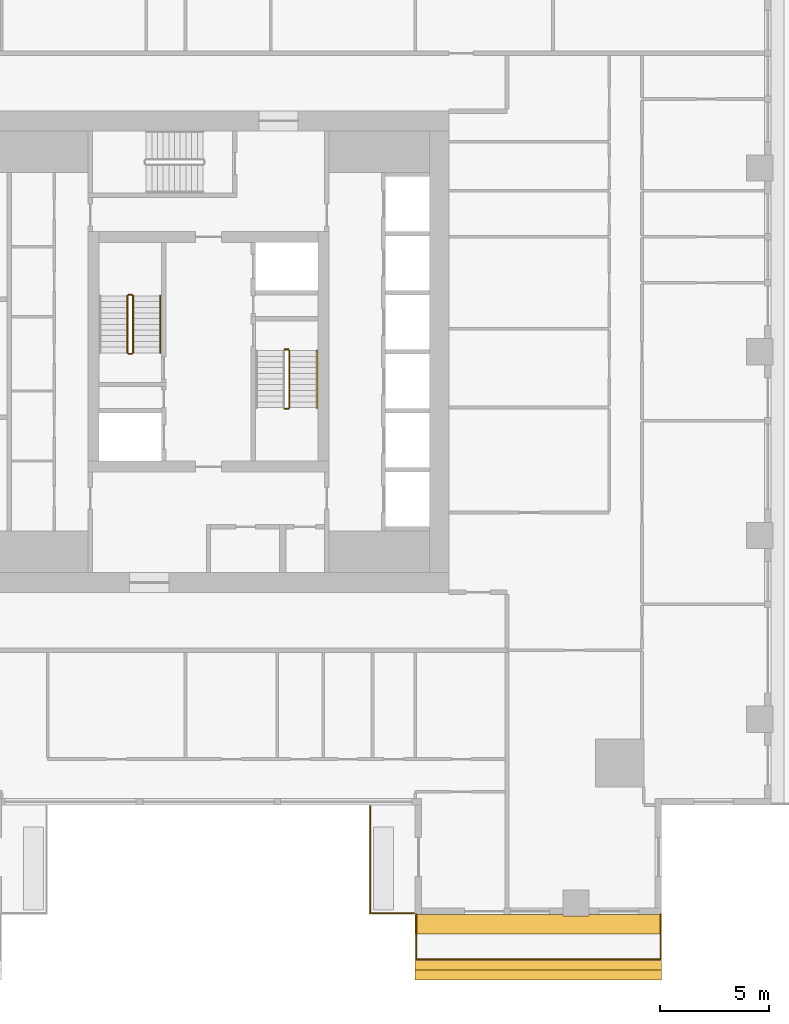
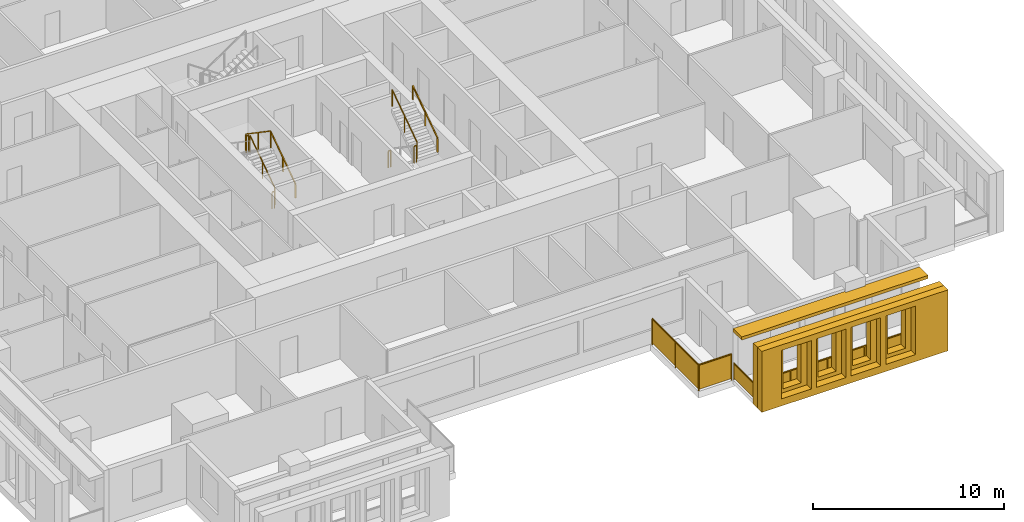
# One storey, part 11 of 14: 11 railings, 3 shading devices.
"""IFC4 building model written with IfcOpenShell, lengths in metres."""

from ifc_helpers import new_model, si_unit, direction, frame, origin, origin_2d, place, context, subcontext, project, spatial, polyline, rectangle, outline, extrude, material, layer, layer_set, type_object, element, save


model = new_model("IFC4")

# Units and contexts
model_context = context("Model", 3, precision=1e-05, world=origin(), true_north=direction((0.0, 1.0)))
body_context = subcontext(model_context, "Body", "Model", "MODEL_VIEW")
ifc_project = project(units=[si_unit("LENGTHUNIT", "METRE"), si_unit("AREAUNIT", "SQUARE_METRE"), si_unit("VOLUMEUNIT", "CUBIC_METRE"), si_unit("PLANEANGLEUNIT", "RADIAN"), si_unit("MASSUNIT", "GRAM", prefix="KILO")], contexts=[model_context])

# Site, building, storey
site_placement = place(None, origin())
site = spatial("IfcSite", under=ifc_project, at=site_placement, CompositionType="ELEMENT")
building_placement = place(site_placement, origin())
building = spatial("IfcBuilding", under=site, at=building_placement, Name="Khepri Terraces", CompositionType="ELEMENT")
storey_placement = place(building_placement, frame((0.0, 0.0, 264.0)))
storey = spatial("IfcBuildingStorey", under=building, at=storey_placement, Name="L63", CompositionType="ELEMENT", Elevation=264.0)

# Railings
ifc_material_1 = material(Name="Stainless steel grade 316", Category="steel")
railing_type_1 = type_object("IfcRailingType", Name="GRD-BAL-1100", PredefinedType="GUARDRAIL", material=ifc_material_1)
railing_1_placement = place(storey_placement, frame((9.5, -25.719970703125, 0.0)))
element("IfcRailing", 1, at=railing_1_placement, inside=storey, type_object=railing_type_1, Name="Balcony guard L63 S", PredefinedType="GUARDRAIL", context=body_context, shape_type="SweptSolid", body=[
    extrude(rectangle(XDim=0.050048828125, YDim=0.06005859375, at=origin_2d()), frame((0.0, 0.0, 1.070068359375), z_axis=(0.0, -1.0, 0.0), x_axis=(1.0, 0.0, 0.0)), (0.0, 0.0, 1.0), 2.050048828125),
    extrude(rectangle(XDim=2.0, YDim=0.011962890625, at=origin_2d()), frame((0.0, -1.02490234375, 0.10009765625), z_axis=(0.0, 0.0, 1.0), x_axis=(0.0, -1.0, 0.0)), (0.0, 0.0, 1.0), 0.93994140625),
    extrude(rectangle(XDim=0.050048828125, YDim=0.06005859375, at=origin_2d()), frame((0.0, -2.050048828125, 1.070068359375), z_axis=(1.0, 0.0, 0.0), x_axis=(0.0, 1.0, 0.0)), (0.0, 0.0, 1.0), 11.169921875),
    extrude(rectangle(XDim=2.183837890625, YDim=0.011962890625, at=origin_2d()), frame((1.116943359375, -2.050048828125, 0.10009765625), z_axis=(0.0, 0.0, 1.0), x_axis=(1.0, 0.0, 0.0)), (0.0, 0.0, 1.0), 0.93994140625),
    extrude(rectangle(XDim=2.183837890625, YDim=0.011962890625, at=origin_2d()), frame((3.35107421875, -2.050048828125, 0.10009765625), z_axis=(0.0, 0.0, 1.0), x_axis=(1.0, 0.0, 0.0)), (0.0, 0.0, 1.0), 0.93994140625),
    extrude(rectangle(XDim=2.183837890625, YDim=0.011962890625, at=origin_2d()), frame((5.5849609375, -2.050048828125, 0.10009765625), z_axis=(0.0, 0.0, 1.0), x_axis=(1.0, 0.0, 0.0)), (0.0, 0.0, 1.0), 0.93994140625),
    extrude(rectangle(XDim=2.183837890625, YDim=0.011962890625, at=origin_2d()), frame((7.81884765625, -2.050048828125, 0.10009765625), z_axis=(0.0, 0.0, 1.0), x_axis=(1.0, 0.0, 0.0)), (0.0, 0.0, 1.0), 0.93994140625),
    extrude(rectangle(XDim=2.183837890625, YDim=0.011962890625, at=origin_2d()), frame((10.052978515625, -2.050048828125, 0.10009765625), z_axis=(0.0, 0.0, 1.0), x_axis=(1.0, 0.0, 0.0)), (0.0, 0.0, 1.0), 0.93994140625),
    extrude(rectangle(XDim=0.050048828125, YDim=0.06005859375, at=origin_2d()), frame((11.169921875, -2.050048828125, 1.070068359375), z_axis=(0.0, 1.0, 0.0), x_axis=(-1.0, 0.0, 0.0)), (0.0, 0.0, 1.0), 2.050048828125),
    extrude(rectangle(XDim=2.0, YDim=0.011962890625, at=origin_2d()), frame((11.169921875, -1.02490234375, 0.10009765625), z_axis=(0.0, 0.0, 1.0), x_axis=(0.0, 1.0, 0.0)), (0.0, 0.0, 1.0), 0.93994140625),
    extrude(rectangle(XDim=0.050048828125, YDim=0.050048828125, at=origin_2d()), origin(), (0.0, 0.0, 1.0), 1.0400390625),
    extrude(rectangle(XDim=0.050048828125, YDim=0.050048828125, at=origin_2d()), frame((0.0, -2.050048828125, 0.0)), (0.0, 0.0, 1.0), 1.0400390625),
    extrude(rectangle(XDim=0.050048828125, YDim=0.050048828125, at=origin_2d()), frame((2.23388671875, -2.050048828125, 0.0)), (0.0, 0.0, 1.0), 1.0400390625),
    extrude(rectangle(XDim=0.050048828125, YDim=0.050048828125, at=origin_2d()), frame((4.468017578125, -2.050048828125, 0.0)), (0.0, 0.0, 1.0), 1.0400390625),
    extrude(rectangle(XDim=0.050048828125, YDim=0.050048828125, at=origin_2d()), frame((6.701904296875, -2.050048828125, 0.0)), (0.0, 0.0, 1.0), 1.0400390625),
    extrude(rectangle(XDim=0.050048828125, YDim=0.050048828125, at=origin_2d()), frame((8.93603515625, -2.050048828125, 0.0)), (0.0, 0.0, 1.0), 1.0400390625),
    extrude(rectangle(XDim=0.050048828125, YDim=0.050048828125, at=origin_2d()), frame((11.169921875, -2.050048828125, 0.0)), (0.0, 0.0, 1.0), 1.0400390625),
    extrude(rectangle(XDim=0.050048828125, YDim=0.050048828125, at=origin_2d()), frame((11.169921875, 0.0, 0.0)), (0.0, 0.0, 1.0), 1.0400390625),
])
railing_type_2 = type_object("IfcRailingType", Name="GRD-TERR-1700", PredefinedType="GUARDRAIL", material=ifc_material_1)
railing_2_placement = place(storey_placement, frame((9.3798828125, -25.669921875, 0.0)))
element("IfcRailing", 2, at=railing_2_placement, inside=storey, type_object=railing_type_2, Name="Terrace guard L63", PredefinedType="GUARDRAIL", context=body_context, shape_type="SweptSolid", body=[
    extrude(rectangle(XDim=0.050048828125, YDim=0.06005859375, at=origin_2d()), frame((0.0, 0.0, 1.669921875), z_axis=(-1.0, 0.0, 0.0), x_axis=(0.0, -1.0, 0.0)), (0.0, 0.0, 1.0), 1.97998046875),
    extrude(rectangle(XDim=1.929931640625, YDim=0.011962890625, at=origin_2d()), frame((-0.989990234375, 0.0, 0.10009765625), z_axis=(0.0, 0.0, 1.0), x_axis=(-1.0, 0.0, 0.0)), (0.0, 0.0, 1.0), 1.539794921875),
    extrude(rectangle(XDim=0.050048828125, YDim=0.06005859375, at=origin_2d()), frame((-1.97998046875, 0.0, 1.669921875), z_axis=(0.0, 1.0, 0.0), x_axis=(-1.0, 0.0, 0.0)), (0.0, 0.0, 1.0), 4.8798828125),
    extrude(rectangle(XDim=2.389892578125, YDim=0.011962890625, at=origin_2d()), frame((-1.97998046875, 1.219970703125, 0.10009765625), z_axis=(0.0, 0.0, 1.0), x_axis=(0.0, 1.0, 0.0)), (0.0, 0.0, 1.0), 1.539794921875),
    extrude(rectangle(XDim=2.389892578125, YDim=0.011962890625, at=origin_2d()), frame((-1.97998046875, 3.659912109375, 0.10009765625), z_axis=(0.0, 0.0, 1.0), x_axis=(0.0, 1.0, 0.0)), (0.0, 0.0, 1.0), 1.539794921875),
    extrude(rectangle(XDim=0.050048828125, YDim=0.050048828125, at=origin_2d()), origin(), (0.0, 0.0, 1.0), 1.639892578125),
    extrude(rectangle(XDim=0.050048828125, YDim=0.050048828125, at=origin_2d()), frame((-1.97998046875, 0.0, 0.0)), (0.0, 0.0, 1.0), 1.639892578125),
    extrude(rectangle(XDim=0.050048828125, YDim=0.050048828125, at=origin_2d()), frame((-1.97998046875, 2.43994140625, 0.0)), (0.0, 0.0, 1.0), 1.639892578125),
    extrude(rectangle(XDim=0.050048828125, YDim=0.050048828125, at=origin_2d()), frame((-1.97998046875, 4.8798828125, 0.0)), (0.0, 0.0, 1.0), 1.639892578125),
])
ifc_material_2 = material(Name="Stainless steel 316", Category="steel")
railing_type_3 = type_object("IfcRailingType", Name="RL-CORE-GUARD", PredefinedType="GUARDRAIL", material=ifc_material_2)
railing_3_placement = place(storey_placement, frame((-3.449951171875, -0.050048828125, 0.17724609375)))
element("IfcRailing", 3, at=railing_3_placement, inside=storey, type_object=railing_type_3, Name="L63 ST-1 stair guard 1", PredefinedType="GUARDRAIL", context=body_context, shape_type="SweptSolid", body=[
    extrude(rectangle(XDim=0.050048828125, YDim=0.06005859375, at=origin_2d()), frame((0.0, 0.0, 1.070068359375), z_axis=(0.0, 0.826240473404, 0.563317565952), x_axis=(-1.0, 0.0, 0.0)), (0.0, 0.0, 1.0), 3.14697265625),
    extrude(rectangle(XDim=0.050048828125, YDim=0.050048828125, at=origin_2d()), origin(), (0.0, 0.0, 1.0), 1.0400390625),
    extrude(rectangle(XDim=0.050048828125, YDim=0.050048828125, at=origin_2d()), frame((0.0, 1.300048828125, 0.88623046875)), (0.0, 0.0, 1.0), 1.0400390625),
    extrude(rectangle(XDim=0.050048828125, YDim=0.050048828125, at=origin_2d()), frame((0.0, 2.60009765625, 1.772705078125)), (0.0, 0.0, 1.0), 1.0400390625),
])
railing_4_placement = place(storey_placement, frame((-3.5, 2.60009765625, 1.949951171875)))
element("IfcRailing", 4, at=railing_4_placement, inside=storey, type_object=railing_type_3, Name="L63 ST-1 stair guard 2", PredefinedType="GUARDRAIL", context=body_context, shape_type="SweptSolid", body=[
    extrude(rectangle(XDim=0.050048828125, YDim=0.06005859375, at=origin_2d()), frame((0.0, 0.0, 1.070068359375), z_axis=(-1.0, 0.0, 0.0), x_axis=(0.0, -1.0, 0.0)), (0.0, 0.0, 1.0), 0.14990234375),
    extrude(rectangle(XDim=0.050048828125, YDim=0.050048828125, at=origin_2d()), origin(), (0.0, 0.0, 1.0), 1.0400390625),
    extrude(rectangle(XDim=0.050048828125, YDim=0.050048828125, at=origin_2d()), frame((-0.14990234375, 0.0, 0.0)), (0.0, 0.0, 1.0), 1.0400390625),
])
railing_5_placement = place(storey_placement, frame((-3.699951171875, 2.550048828125, 2.127197265625)))
element("IfcRailing", 5, at=railing_5_placement, inside=storey, type_object=railing_type_3, Name="L63 ST-1 stair guard 3", PredefinedType="GUARDRAIL", context=body_context, shape_type="SweptSolid", body=[
    extrude(rectangle(XDim=0.050048828125, YDim=0.06005859375, at=origin_2d()), frame((0.0, 0.0, 1.070068359375), z_axis=(0.0, -0.826240473404, 0.563317565952), x_axis=(1.0, 0.0, 0.0)), (0.0, 0.0, 1.0), 3.14697265625),
    extrude(rectangle(XDim=0.050048828125, YDim=0.050048828125, at=origin_2d()), origin(), (0.0, 0.0, 1.0), 1.0400390625),
    extrude(rectangle(XDim=0.050048828125, YDim=0.050048828125, at=origin_2d()), frame((0.0, -1.300048828125, 0.88623046875)), (0.0, 0.0, 1.0), 1.0400390625),
    extrude(rectangle(XDim=0.050048828125, YDim=0.050048828125, at=origin_2d()), frame((0.0, -2.60009765625, 1.772705078125)), (0.0, 0.0, 1.0), 1.0400390625),
])
railing_6_placement = place(storey_placement, frame((-3.5, -0.10009765625, 0.0)))
element("IfcRailing", 6, at=railing_6_placement, inside=storey, type_object=railing_type_3, Name="L63 ST-1 stair guard 4", PredefinedType="GUARDRAIL", context=body_context, shape_type="SweptSolid", body=[
    extrude(rectangle(XDim=0.050048828125, YDim=0.06005859375, at=origin_2d()), frame((0.0, 0.0, 1.070068359375), z_axis=(-1.0, 0.0, 0.0), x_axis=(0.0, -1.0, 0.0)), (0.0, 0.0, 1.0), 0.14990234375),
    extrude(rectangle(XDim=0.050048828125, YDim=0.050048828125, at=origin_2d()), origin(), (0.0, 0.0, 1.0), 1.0400390625),
    extrude(rectangle(XDim=0.050048828125, YDim=0.050048828125, at=origin_2d()), frame((-0.14990234375, 0.0, 0.0)), (0.0, 0.0, 1.0), 1.0400390625),
])
railing_7_placement = place(storey_placement, frame((3.5, -2.60009765625, 1.949951171875)))
element("IfcRailing", 7, at=railing_7_placement, inside=storey, type_object=railing_type_3, Name="L63 ST-2 stair guard 2", PredefinedType="GUARDRAIL", context=body_context, shape_type="SweptSolid", body=[
    extrude(rectangle(XDim=0.050048828125, YDim=0.06005859375, at=origin_2d()), frame((0.0, 0.0, 1.070068359375), z_axis=(1.0, 0.0, 0.0), x_axis=(0.0, 1.0, 0.0)), (0.0, 0.0, 1.0), 0.14990234375),
    extrude(rectangle(XDim=0.050048828125, YDim=0.050048828125, at=origin_2d()), origin(), (0.0, 0.0, 1.0), 1.0400390625),
    extrude(rectangle(XDim=0.050048828125, YDim=0.050048828125, at=origin_2d()), frame((0.14990234375, 0.0, 0.0)), (0.0, 0.0, 1.0), 1.0400390625),
])
railing_8_placement = place(storey_placement, frame((3.699951171875, -2.550048828125, 2.127197265625)))
element("IfcRailing", 8, at=railing_8_placement, inside=storey, type_object=railing_type_3, Name="L63 ST-2 stair guard 3", PredefinedType="GUARDRAIL", context=body_context, shape_type="SweptSolid", body=[
    extrude(rectangle(XDim=0.050048828125, YDim=0.06005859375, at=origin_2d()), frame((0.0, 0.0, 1.070068359375), z_axis=(0.0, 0.826240473404, 0.563317565952), x_axis=(-1.0, 0.0, 0.0)), (0.0, 0.0, 1.0), 3.14697265625),
    extrude(rectangle(XDim=0.050048828125, YDim=0.050048828125, at=origin_2d()), origin(), (0.0, 0.0, 1.0), 1.0400390625),
    extrude(rectangle(XDim=0.050048828125, YDim=0.050048828125, at=origin_2d()), frame((0.0, 1.300048828125, 0.88623046875)), (0.0, 0.0, 1.0), 1.0400390625),
    extrude(rectangle(XDim=0.050048828125, YDim=0.050048828125, at=origin_2d()), frame((0.0, 2.60009765625, 1.772705078125)), (0.0, 0.0, 1.0), 1.0400390625),
])
railing_9_placement = place(storey_placement, frame((3.5, 0.10009765625, 0.0)))
element("IfcRailing", 9, at=railing_9_placement, inside=storey, type_object=railing_type_3, Name="L63 ST-2 stair guard 4", PredefinedType="GUARDRAIL", context=body_context, shape_type="SweptSolid", body=[
    extrude(rectangle(XDim=0.050048828125, YDim=0.06005859375, at=origin_2d()), frame((0.0, 0.0, 1.070068359375), z_axis=(1.0, 0.0, 0.0), x_axis=(0.0, 1.0, 0.0)), (0.0, 0.0, 1.0), 0.14990234375),
    extrude(rectangle(XDim=0.050048828125, YDim=0.050048828125, at=origin_2d()), origin(), (0.0, 0.0, 1.0), 1.0400390625),
    extrude(rectangle(XDim=0.050048828125, YDim=0.050048828125, at=origin_2d()), frame((0.14990234375, 0.0, 0.0)), (0.0, 0.0, 1.0), 1.0400390625),
])
railing_type_4 = type_object("IfcRailingType", Name="RL-CORE-HANDRAIL", PredefinedType="HANDRAIL", material=ifc_material_2)
for number, where, name in (
    (10, (-2.199951171875, -0.050048828125, 0.17724609375), "L63 ST-1 stair handrail 1"),
    (11, (4.949951171875, -2.550048828125, 2.127197265625), "L63 ST-2 stair handrail 2"),
):
    element("IfcRailing", number, at=place(storey_placement, frame(where)), inside=storey, type_object=railing_type_4, Name=name, PredefinedType="HANDRAIL", context=body_context, shape_type="SweptSolid", body=[
        extrude(rectangle(XDim=0.050048828125, YDim=0.050048828125, at=origin_2d()), frame((0.0, 0.0, 0.875), z_axis=(0.0, 0.826240473404, 0.563317565952), x_axis=(-1.0, 0.0, 0.0)), (0.0, 0.0, 1.0), 3.14697265625),
        extrude(rectangle(XDim=0.050048828125, YDim=0.050048828125, at=origin_2d()), origin(), (0.0, 0.0, 1.0), 0.849853515625),
        extrude(rectangle(XDim=0.050048828125, YDim=0.050048828125, at=origin_2d()), frame((0.0, 1.300048828125, 0.88623046875)), (0.0, 0.0, 1.0), 0.849853515625),
        extrude(rectangle(XDim=0.050048828125, YDim=0.050048828125, at=origin_2d()), frame((0.0, 2.60009765625, 1.772705078125)), (0.0, 0.0, 1.0), 0.849853515625),
    ])

# Shading devices
ifc_material_3 = material(Name="Precast concrete C50/60 warm stone", Category="masonry")
shading_device_type_1 = type_object("IfcShadingDeviceType", Name="SCR-CELL-INNER-450", PredefinedType="USERDEFINED", material=ifc_material_3)
shading_device_1_placement = place(storey_placement, frame((9.449951171875, -27.820068359375, -0.25), z_axis=(0.0, -1.0, 0.0), x_axis=(1.0, 0.0, 0.0)))
element("IfcShadingDevice", 12, at=shading_device_1_placement, inside=storey, type_object=shading_device_type_1, Name="Cell screen L63 S in", ObjectType="SCREEN", PredefinedType="USERDEFINED", context=body_context, shape_type="SweptSolid", body=[
    extrude(outline(polyline([(0.0, 0.0), (11.27001953125, 0.0), (11.27001953125, 3.89990234375), (0.0, 3.89990234375), (0.0, 0.0)]), holes=[polyline([(1.556640625, 0.699951171875), (2.643310546875, 0.699951171875), (2.643310546875, 3.300048828125), (1.556640625, 3.300048828125), (1.556640625, 0.699951171875)]), polyline([(3.656494140625, 0.699951171875), (4.743408203125, 0.699951171875), (4.743408203125, 3.300048828125), (3.656494140625, 3.300048828125), (3.656494140625, 0.699951171875)]), polyline([(5.756591796875, 0.699951171875), (6.843505859375, 0.699951171875), (6.843505859375, 3.300048828125), (5.756591796875, 3.300048828125), (5.756591796875, 0.699951171875)]), polyline([(7.856689453125, 0.699951171875), (8.943359375, 0.699951171875), (8.943359375, 3.300048828125), (7.856689453125, 3.300048828125), (7.856689453125, 0.699951171875)]), polyline([(9.95654296875, 0.699951171875), (11.04345703125, 0.699951171875), (11.04345703125, 3.300048828125), (9.95654296875, 3.300048828125), (9.95654296875, 0.699951171875)])]), origin(), (0.0, 0.0, 1.0), 0.449951171875),
])
shading_device_type_2 = type_object("IfcShadingDeviceType", Name="SCR-CELL-OUTER-450", PredefinedType="USERDEFINED", material=ifc_material_3)
shading_device_2_placement = place(storey_placement, frame((9.449951171875, -28.27001953125, -0.25), z_axis=(0.0, -1.0, 0.0), x_axis=(1.0, 0.0, 0.0)))
element("IfcShadingDevice", 13, at=shading_device_2_placement, inside=storey, type_object=shading_device_type_2, Name="Cell screen L63 S out", ObjectType="SCREEN", PredefinedType="USERDEFINED", context=body_context, shape_type="SweptSolid", body=[
    extrude(outline(polyline([(0.0, 0.0), (11.27001953125, 0.0), (11.27001953125, 3.89990234375), (0.0, 3.89990234375), (0.0, 0.0)]), holes=[polyline([(1.20654296875, 0.449951171875), (2.993408203125, 0.449951171875), (2.993408203125, 3.550048828125), (1.20654296875, 3.550048828125), (1.20654296875, 0.449951171875)]), polyline([(3.306640625, 0.449951171875), (5.093505859375, 0.449951171875), (5.093505859375, 3.550048828125), (3.306640625, 3.550048828125), (3.306640625, 0.449951171875)]), polyline([(5.406494140625, 0.449951171875), (7.193359375, 0.449951171875), (7.193359375, 3.550048828125), (5.406494140625, 3.550048828125), (5.406494140625, 0.449951171875)]), polyline([(7.506591796875, 0.449951171875), (9.29345703125, 0.449951171875), (9.29345703125, 3.550048828125), (7.506591796875, 3.550048828125), (7.506591796875, 0.449951171875)])]), origin(), (0.0, 0.0, 1.0), 0.449951171875),
])
ifc_layer = layer(ifc_material_3, 0.199951171875, Name="Precast concrete C50/60 warm stone", Category="masonry")
ifc_layer_set = layer_set([ifc_layer], Name="Precast concrete C50/60 warm stone")
shading_device_type_3 = type_object("IfcShadingDeviceType", Name="SSH-BAND-STONE-200", PredefinedType="USERDEFINED", material=ifc_layer_set)
shading_device_3_placement = place(storey_placement, frame((0.0, 0.0, 3.10009765625)))
element("IfcShadingDevice", 14, at=shading_device_3_placement, inside=storey, type_object=shading_device_type_3, Name="Sunshade band L63 S", ObjectType="SUNSHADE", PredefinedType="USERDEFINED", context=body_context, shape_type="SweptSolid", body=[
    extrude(outline(polyline([(16.199951171875, -25.719970703125), (9.449951171875, -25.719970703125), (9.449951171875, -26.6201171875), (20.719970703125, -26.6201171875), (20.719970703125, -25.719970703125), (17.39990234375, -25.719970703125), (17.39990234375, -25.800048828125), (16.199951171875, -25.800048828125), (16.199951171875, -25.719970703125)])), origin(), (0.0, 0.0, 1.0), 0.199951171875),
])

save(model, "model.ifc")
